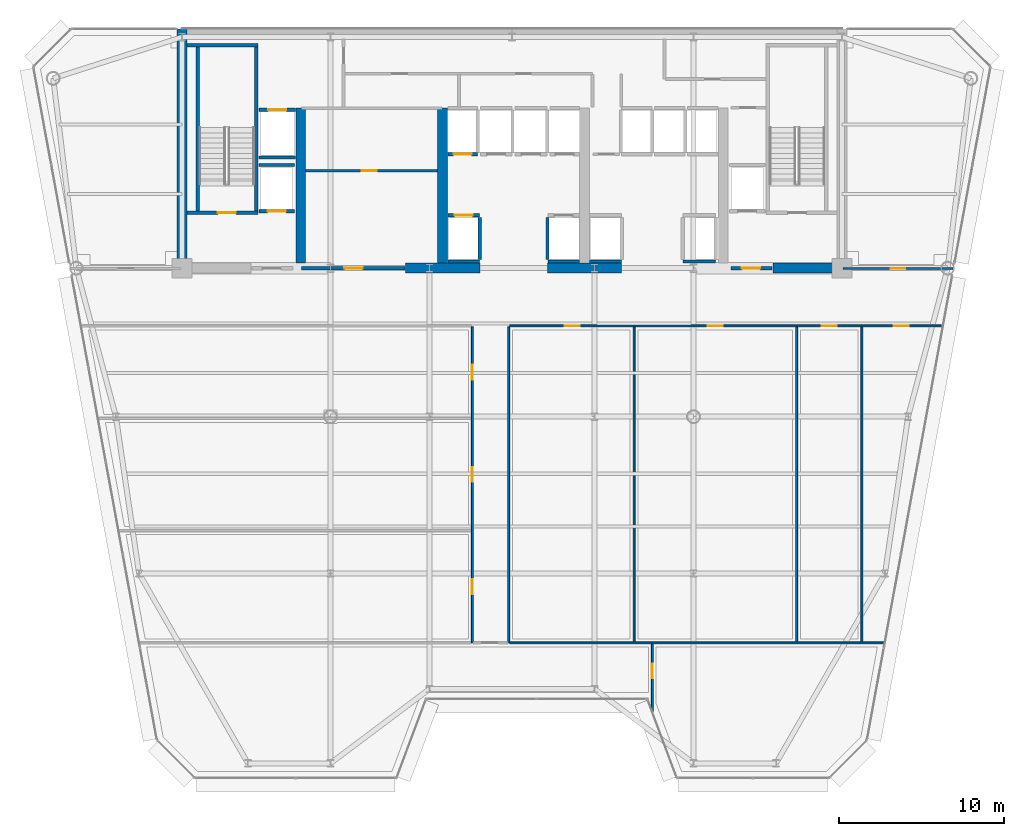
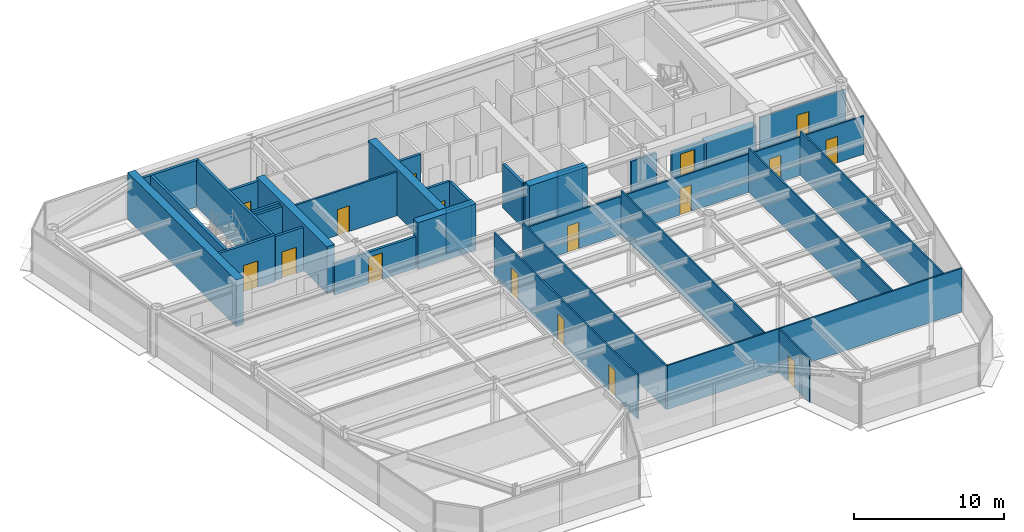
# One storey, part 10 of 16: 34 walls, 17 doors, 17 openings.
"""IFC4 building model written with IfcOpenShell, lengths in metres."""

from ifc_helpers import new_model, si_unit, direction, frame, frame_2d, origin, place, context, subcontext, project, spatial, rectangle, extrude, source, transform, mapped, material, layer, layer_set, type_object, element, fill, save


model = new_model("IFC4")

# Units and contexts
model_context = context("Model", 3, precision=1e-05, world=origin(), true_north=direction((0.0, 1.0)))
body_context = subcontext(model_context, "Body", "Model", "MODEL_VIEW")
ifc_project = project(units=[si_unit("LENGTHUNIT", "METRE"), si_unit("AREAUNIT", "SQUARE_METRE"), si_unit("VOLUMEUNIT", "CUBIC_METRE"), si_unit("PLANEANGLEUNIT", "RADIAN"), si_unit("MASSUNIT", "GRAM", prefix="KILO")], contexts=[model_context])

# Site, building, storey
site_placement = place(None, origin())
site = spatial("IfcSite", under=ifc_project, at=site_placement, CompositionType="ELEMENT")
building_placement = place(site_placement, origin())
building = spatial("IfcBuilding", under=site, at=building_placement, Name="Vaeldorn Concourse Tower", CompositionType="ELEMENT")
storey_placement = place(building_placement, frame((0.0, 0.0, 184.199951171875)))
storey = spatial("IfcBuildingStorey", under=building, at=storey_placement, Name="L47", CompositionType="ELEMENT", Elevation=184.199951171875)

# Walls
ifc_material_1 = material(Name="Concrete C50/60", Category="concrete")
ifc_layer_1 = layer(ifc_material_1, 0.60009765625)
ifc_layer_set_1 = layer_set([ifc_layer_1], Name="Concrete C50/60")
wall_type_1 = type_object("IfcWallType", Name="WL-CORE-600", PredefinedType="SHEAR", material=ifc_layer_set_1)
wall_1_placement = place(storey_placement, frame((14.0, 36.5, 0.0), z_axis=(0.0, 0.0, 1.0), x_axis=(0.0, 1.0, 0.0)))
element("IfcWall", 1, at=wall_1_placement, inside=storey, type_object=wall_type_1, Name="Rear Core Shear Wall L47 W1", PredefinedType="SHEAR", context=body_context, shape_type="SweptSolid", body=[
    extrude(rectangle(XDim=14.5, YDim=0.60009765625, at=frame_2d((7.25, 0.0))), origin(), (0.0, 0.0, 1.0), 3.800048828125),
])
for number, where, z_axis, x_axis, name in (
    (2, (27.550048828125, 36.5, 0.0), (0.0, 0.0, 1.0), (1.0, 0.0, 0.0), "Rear Core Shear Wall L47 S2"),
    (3, (36.14990234375, 36.5, 0.0), (0.0, 0.0, 1.0), (1.0, 0.0, 0.0), "Rear Core Shear Wall L47 S3"),
):
    element("IfcWall", number, at=place(storey_placement, frame(where, z_axis=z_axis, x_axis=x_axis)), inside=storey, type_object=wall_type_1, Name=name, PredefinedType="SHEAR", context=body_context, shape_type="SweptSolid", body=[
        extrude(rectangle(XDim=4.5, YDim=0.60009765625, at=frame_2d((2.25, 0.0))), origin(), (0.0, 0.0, 1.0), 3.800048828125),
    ])
wall_2_placement = place(storey_placement, frame((49.800048828125, 36.5, 0.0), z_axis=(0.0, 0.0, 1.0), x_axis=(1.0, 0.0, 0.0)))
element("IfcWall", 4, at=wall_2_placement, inside=storey, type_object=wall_type_1, Name="Rear Core Shear Wall L47 S4", PredefinedType="SHEAR", context=body_context, shape_type="SweptSolid", body=[
    extrude(rectangle(XDim=3.8798828125, YDim=0.60009765625, at=frame_2d((1.93994140625, 0.0))), origin(), (0.0, 0.0, 1.0), 2.580078125),
])
for number, where, z_axis, x_axis, name in (
    (5, (21.199951171875, 36.820068359375, 0.0), (0.0, 0.0, 1.0), (0.0, 1.0, 0.0), "Rear Core Shear Wall L47 M1"),
    (6, (29.800048828125, 36.820068359375, 0.0), (0.0, 0.0, 1.0), (0.0, 1.0, 0.0), "Rear Core Shear Wall L47 M2"),
):
    element("IfcWall", number, at=place(storey_placement, frame(where, z_axis=z_axis, x_axis=x_axis)), inside=storey, type_object=wall_type_1, Name=name, PredefinedType="SHEAR", context=body_context, shape_type="SweptSolid", body=[
        extrude(rectangle(XDim=9.3798828125, YDim=0.60009765625, at=frame_2d((4.68994140625, 0.0))), origin(), (0.0, 0.0, 1.0), 3.800048828125),
    ])

# Wall, openings, doors
ifc_material_2 = material(Name="Gypsum Board Partition", Category="gypsum")
ifc_layer_2 = layer(ifc_material_2, 0.1201171875)
ifc_layer_set_2 = layer_set([ifc_layer_2], Name="Gypsum Board Partition")
wall_type_2 = type_object("IfcWallType", Name="WL-PART-120", PredefinedType="PARTITIONING", material=ifc_layer_set_2)
wall_3_placement = place(storey_placement, frame((33.860107421875, 33.0, 0.0), z_axis=(0.0, 0.0, 1.0), x_axis=(1.0, 0.0, 0.0)))
wall_3 = element("IfcWall", 7, at=wall_3_placement, inside=storey, type_object=wall_type_2, Name="Interior Wall PW-L47-C2SE", PredefinedType="PARTITIONING", context=body_context, shape_type="SweptSolid", body=[
    extrude(rectangle(XDim=26.21728515625, YDim=0.1201171875, at=frame_2d((13.108642578125, 0.0))), origin(), (0.0, 0.0, 1.0), 3.1201171875),
])
opening_1_placement = place(wall_3_placement, frame((3.340087890625, 0.0, 0.0)))
opening_1 = element("IfcOpeningElement", 8, at=opening_1_placement, cuts=wall_3, Name="Opening D-03", PredefinedType="OPENING", context=body_context, shape_type="SweptSolid", body=[
    extrude(rectangle(XDim=0.89990234375, YDim=2.14990234375, at=frame_2d((0.449951171875, 1.074951171875))), frame((0.0, 0.070068359375, 0.0), z_axis=(0.0, -1.0, 0.0), x_axis=(1.0, 0.0, 0.0)), (0.0, 0.0, 1.0), 0.14013671875),
])
opening_2_placement = place(wall_3_placement, frame((12.014892578125, 0.0, 0.0)))
opening_2 = element("IfcOpeningElement", 9, at=opening_2_placement, cuts=wall_3, Name="Opening D-03", PredefinedType="OPENING", context=body_context, shape_type="SweptSolid", body=[
    extrude(rectangle(XDim=0.89990234375, YDim=2.14990234375, at=frame_2d((0.449951171875, 1.074951171875))), frame((0.0, 0.070068359375, 0.0), z_axis=(0.0, -1.0, 0.0), x_axis=(1.0, 0.0, 0.0)), (0.0, 0.0, 1.0), 0.14013671875),
])
opening_3_placement = place(wall_3_placement, frame((18.9150390625, 0.0, 0.0)))
opening_3 = element("IfcOpeningElement", 10, at=opening_3_placement, cuts=wall_3, Name="Opening D-03", PredefinedType="OPENING", context=body_context, shape_type="SweptSolid", body=[
    extrude(rectangle(XDim=0.89990234375, YDim=2.14990234375, at=frame_2d((0.449951171875, 1.074951171875))), frame((0.0, 0.070068359375, 0.0), z_axis=(0.0, -1.0, 0.0), x_axis=(1.0, 0.0, 0.0)), (0.0, 0.0, 1.0), 0.14013671875),
])
opening_4_placement = place(wall_3_placement, frame((23.279052734375, 0.0, 0.0)))
opening_4 = element("IfcOpeningElement", 11, at=opening_4_placement, cuts=wall_3, Name="Opening D-03", PredefinedType="OPENING", context=body_context, shape_type="SweptSolid", body=[
    extrude(rectangle(XDim=0.89990234375, YDim=2.14990234375, at=frame_2d((0.449951171875, 1.074951171875))), frame((0.0, 0.070068359375, 0.0), z_axis=(0.0, -1.0, 0.0), x_axis=(1.0, 0.0, 0.0)), (0.0, 0.0, 1.0), 0.14013671875),
])
ifc_material_3 = material(Name="Acoustic Bronze-Framed Glass Door", Category="glass")
door_type_1 = type_object("IfcDoorType", Name="DR-INT-900", OperationType="NOTDEFINED", PredefinedType="DOOR", material=ifc_material_3)
shared_shape_1 = source(origin(), body_context, "Body", "SweptSolid", [
    extrude(rectangle(XDim=0.89990234375, YDim=2.14990234375, at=frame_2d((0.449951171875, 1.074951171875))), frame((0.0, 0.02490234375, 0.0), z_axis=(0.0, -1.0, 0.0), x_axis=(1.0, 0.0, 0.0)), (0.0, 0.0, 1.0), 0.050048828125),
])
door_1_placement = place(opening_1_placement, origin())
door_1 = element("IfcDoor", 12, at=door_1_placement, inside=storey, type_object=door_type_1, Name="Interior Door DR-L47-Z2E1", OperationType="SINGLE_SWING_RIGHT", OverallHeight=2.14990234375, OverallWidth=0.89990234375, PredefinedType="DOOR", context=body_context, shape_type="MappedRepresentation", body=[
    mapped(shared_shape_1, transform((0.0, 0.0, 0.0), scale=1.0)),
])
fill(opening_1, door_1)
door_2_placement = place(opening_2_placement, origin())
door_2 = element("IfcDoor", 13, at=door_2_placement, inside=storey, type_object=door_type_1, Name="Interior Door DR-L47-Z2E2", OperationType="SINGLE_SWING_LEFT", OverallHeight=2.14990234375, OverallWidth=0.89990234375, PredefinedType="DOOR", context=body_context, shape_type="MappedRepresentation", body=[
    mapped(shared_shape_1, transform((0.0, 0.0, 0.0), scale=1.0)),
])
fill(opening_2, door_2)
door_3_placement = place(opening_3_placement, origin())
door_3 = element("IfcDoor", 14, at=door_3_placement, inside=storey, type_object=door_type_1, Name="Interior Door DR-L47-Z2E3", OperationType="SINGLE_SWING_RIGHT", OverallHeight=2.14990234375, OverallWidth=0.89990234375, PredefinedType="DOOR", context=body_context, shape_type="MappedRepresentation", body=[
    mapped(shared_shape_1, transform((0.0, 0.0, 0.0), scale=1.0)),
])
fill(opening_3, door_3)
door_4_placement = place(opening_4_placement, origin())
door_4 = element("IfcDoor", 15, at=door_4_placement, inside=storey, type_object=door_type_1, Name="Interior Door DR-L47-Z2E4", OperationType="SINGLE_SWING_LEFT", OverallHeight=2.14990234375, OverallWidth=0.89990234375, PredefinedType="DOOR", context=body_context, shape_type="MappedRepresentation", body=[
    mapped(shared_shape_1, transform((0.0, 0.0, 0.0), scale=1.0)),
])
fill(opening_4, door_4)

wall_4_placement = place(storey_placement, frame((31.60009765625, 13.800048828125, 0.0), z_axis=(0.0, 0.0, 1.0), x_axis=(0.0, 1.0, 0.0)))
wall_4 = element("IfcWall", 16, at=wall_4_placement, inside=storey, type_object=wall_type_2, Name="Interior Wall PW-L47-SP2W", PredefinedType="PARTITIONING", context=body_context, shape_type="SweptSolid", body=[
    extrude(rectangle(XDim=19.139892578125, YDim=0.1201171875, at=frame_2d((9.56982421875, 0.0))), origin(), (0.0, 0.0, 1.0), 3.580078125),
])
opening_5_placement = place(wall_4_placement, frame((2.949951171875, 0.0, 0.0)))
opening_5 = element("IfcOpeningElement", 17, at=opening_5_placement, cuts=wall_4, Name="Opening D-03", PredefinedType="OPENING", context=body_context, shape_type="SweptSolid", body=[
    extrude(rectangle(XDim=0.89990234375, YDim=2.14990234375, at=frame_2d((0.449951171875, 1.074951171875))), frame((0.0, 0.070068359375, 0.0), z_axis=(0.0, -1.0, 0.0), x_axis=(1.0, 0.0, 0.0)), (0.0, 0.0, 1.0), 0.14013671875),
])
opening_6_placement = place(wall_4_placement, frame((9.75, 0.0, 0.0)))
opening_6 = element("IfcOpeningElement", 18, at=opening_6_placement, cuts=wall_4, Name="Opening D-03", PredefinedType="OPENING", context=body_context, shape_type="SweptSolid", body=[
    extrude(rectangle(XDim=0.89990234375, YDim=2.14990234375, at=frame_2d((0.449951171875, 1.074951171875))), frame((0.0, 0.070068359375, 0.0), z_axis=(0.0, -1.0, 0.0), x_axis=(1.0, 0.0, 0.0)), (0.0, 0.0, 1.0), 0.14013671875),
])
opening_7_placement = place(wall_4_placement, frame((15.949951171875, 0.0, 0.0)))
opening_7 = element("IfcOpeningElement", 19, at=opening_7_placement, cuts=wall_4, Name="Opening D-03", PredefinedType="OPENING", context=body_context, shape_type="SweptSolid", body=[
    extrude(rectangle(XDim=0.89990234375, YDim=2.14990234375, at=frame_2d((0.449951171875, 1.074951171875))), frame((0.0, 0.070068359375, 0.0), z_axis=(0.0, -1.0, 0.0), x_axis=(1.0, 0.0, 0.0)), (0.0, 0.0, 1.0), 0.14013671875),
])
door_5_placement = place(opening_5_placement, origin())
door_5 = element("IfcDoor", 20, at=door_5_placement, inside=storey, type_object=door_type_1, Name="Interior Door DR-L47-Z2W1", OperationType="SINGLE_SWING_LEFT", OverallHeight=2.14990234375, OverallWidth=0.89990234375, PredefinedType="DOOR", context=body_context, shape_type="MappedRepresentation", body=[
    mapped(shared_shape_1, transform((0.0, 0.0, 0.0), scale=1.0)),
])
fill(opening_5, door_5)
door_6_placement = place(opening_6_placement, origin())
door_6 = element("IfcDoor", 21, at=door_6_placement, inside=storey, type_object=door_type_1, Name="Interior Door DR-L47-Z2W2", OperationType="SINGLE_SWING_RIGHT", OverallHeight=2.14990234375, OverallWidth=0.89990234375, PredefinedType="DOOR", context=body_context, shape_type="MappedRepresentation", body=[
    mapped(shared_shape_1, transform((0.0, 0.0, 0.0), scale=1.0)),
])
fill(opening_6, door_6)
door_7_placement = place(opening_7_placement, origin())
door_7 = element("IfcDoor", 22, at=door_7_placement, inside=storey, type_object=door_type_1, Name="Interior Door DR-L47-Z2W3", OperationType="SINGLE_SWING_LEFT", OverallHeight=2.14990234375, OverallWidth=0.89990234375, PredefinedType="DOOR", context=body_context, shape_type="MappedRepresentation", body=[
    mapped(shared_shape_1, transform((0.0, 0.0, 0.0), scale=1.0)),
])
fill(opening_7, door_7)

# Wall
wall_5_placement = place(storey_placement, frame((33.800048828125, 13.800048828125, 0.0), z_axis=(0.0, 0.0, 1.0), x_axis=(0.0, 1.0, 0.0)))
element("IfcWall", 23, at=wall_5_placement, inside=storey, type_object=wall_type_2, Name="Interior Wall PW-L47-SP2E", PredefinedType="PARTITIONING", context=body_context, shape_type="SweptSolid", body=[
    extrude(rectangle(XDim=19.139892578125, YDim=0.1201171875, at=frame_2d((9.56982421875, 0.0))), origin(), (0.0, 0.0, 1.0), 3.580078125),
])

# Wall, opening, door
wall_6_placement = place(storey_placement, frame((54.06005859375, 36.47998046875, 0.0), z_axis=(0.0, 0.0, 1.0), x_axis=(1.0, 0.0, 0.0)))
wall_6 = element("IfcWall", 24, at=wall_6_placement, inside=storey, type_object=wall_type_2, Name="Interior Wall PW-L47-NES", PredefinedType="PARTITIONING", context=body_context, shape_type="SweptSolid", body=[
    extrude(rectangle(XDim=6.65087890625, YDim=0.1201171875, at=frame_2d((3.325439453125, 0.0))), origin(), (0.0, 0.0, 1.0), 2.969970703125),
])
opening_8_placement = place(wall_6_placement, frame((2.875, 0.0, 0.0)))
opening_8 = element("IfcOpeningElement", 25, at=opening_8_placement, cuts=wall_6, Name="Opening D-03", PredefinedType="OPENING", context=body_context, shape_type="SweptSolid", body=[
    extrude(rectangle(XDim=0.89990234375, YDim=2.14990234375, at=frame_2d((0.449951171875, 1.074951171875))), frame((0.0, 0.070068359375, 0.0), z_axis=(0.0, -1.0, 0.0), x_axis=(1.0, 0.0, 0.0)), (0.0, 0.0, 1.0), 0.14013671875),
])
door_8_placement = place(opening_8_placement, origin())
door_8 = element("IfcDoor", 26, at=door_8_placement, inside=storey, type_object=door_type_1, Name="Interior Door DR-L47-NEC", OperationType="SINGLE_SWING_RIGHT", OverallHeight=2.14990234375, OverallWidth=0.89990234375, PredefinedType="DOOR", context=body_context, shape_type="MappedRepresentation", body=[
    mapped(shared_shape_1, transform((0.0, 0.0, 0.0), scale=1.0)),
])
fill(opening_8, door_8)

# Wall
wall_7_placement = place(storey_placement, frame((33.860107421875, 13.800048828125, 0.0), z_axis=(0.0, 0.0, 1.0), x_axis=(1.0, 0.0, 0.0)))
element("IfcWall", 27, at=wall_7_placement, inside=storey, type_object=wall_type_2, Name="Interior Wall PW-L47-S2EL", PredefinedType="PARTITIONING", context=body_context, shape_type="SweptSolid", body=[
    extrude(rectangle(XDim=22.692138671875, YDim=0.1201171875, at=frame_2d((11.34619140625, 0.0))), origin(), (0.0, 0.0, 1.0), 3.580078125),
])

# Wall, opening, door
wall_8_placement = place(storey_placement, frame((42.5, 9.639892578125, 0.0), z_axis=(0.0, 0.0, 1.0), x_axis=(0.0, 1.0, 0.0)))
wall_8 = element("IfcWall", 28, at=wall_8_placement, inside=storey, type_object=wall_type_2, Name="Interior Wall PW-L47-Z2SFX1", PredefinedType="PARTITIONING", context=body_context, shape_type="SweptSolid", body=[
    extrude(rectangle(XDim=4.10009765625, YDim=0.1201171875, at=frame_2d((2.050048828125, 0.0))), origin(), (0.0, 0.0, 1.0), 3.580078125),
])
opening_9_placement = place(wall_8_placement, frame((2.0, 0.0, 0.0)))
opening_9 = element("IfcOpeningElement", 29, at=opening_9_placement, cuts=wall_8, Name="Opening D-03", PredefinedType="OPENING", context=body_context, shape_type="SweptSolid", body=[
    extrude(rectangle(XDim=0.89990234375, YDim=2.14990234375, at=frame_2d((0.449951171875, 1.074951171875))), frame((0.0, 0.070068359375, 0.0), z_axis=(0.0, -1.0, 0.0), x_axis=(1.0, 0.0, 0.0)), (0.0, 0.0, 1.0), 0.14013671875),
])
door_9_placement = place(opening_9_placement, origin())
door_9 = element("IfcDoor", 30, at=door_9_placement, inside=storey, type_object=door_type_1, Name="Interior Door DR-L47-Z2SFX1", OperationType="SINGLE_SWING_RIGHT", OverallHeight=2.14990234375, OverallWidth=0.89990234375, PredefinedType="DOOR", context=body_context, shape_type="MappedRepresentation", body=[
    mapped(shared_shape_1, transform((0.0, 0.0, 0.0), scale=1.0)),
])
fill(opening_9, door_9)

# Walls
for number, where, z_axis, x_axis, name in (
    (31, (41.39990234375, 13.860107421875, 0.0), (0.0, 0.0, 1.0), (0.0, 1.0, 0.0), "Interior Wall PW-L47-Z2EX1"),
    (32, (51.25, 13.860107421875, 0.0), (0.0, 0.0, 1.0), (0.0, 1.0, 0.0), "Interior Wall PW-L47-Z2EX2"),
    (33, (55.199951171875, 13.860107421875, 0.0), (0.0, 0.0, 1.0), (0.0, 1.0, 0.0), "Interior Wall PW-L47-Z2EX3"),
):
    element("IfcWall", number, at=place(storey_placement, frame(where, z_axis=z_axis, x_axis=x_axis)), inside=storey, type_object=wall_type_2, Name=name, PredefinedType="PARTITIONING", context=body_context, shape_type="SweptSolid", body=[
        extrude(rectangle(XDim=19.079833984375, YDim=0.1201171875, at=frame_2d((9.5400390625, 0.0))), origin(), (0.0, 0.0, 1.0), 3.580078125),
    ])

# Wall, opening, door
ifc_layer_3 = layer(ifc_material_2, 0.14990234375)
ifc_layer_set_3 = layer_set([ifc_layer_3], Name="Gypsum Board Partition")
wall_type_3 = type_object("IfcWallType", Name="WL-PART-150", PredefinedType="PARTITIONING", material=ifc_layer_set_3)
wall_9_placement = place(storey_placement, frame((21.5, 42.39990234375, 0.0), z_axis=(0.0, 0.0, 1.0), x_axis=(1.0, 0.0, 0.0)))
wall_9 = element("IfcWall", 34, at=wall_9_placement, inside=storey, type_object=wall_type_3, Name="Interior Wall CW-L47-R1M", PredefinedType="PARTITIONING", context=body_context, shape_type="SweptSolid", body=[
    extrude(rectangle(XDim=8.0, YDim=0.14990234375, at=frame_2d((4.0, 0.0))), origin(), (0.0, 0.0, 1.0), 3.580078125),
])
opening_10_placement = place(wall_9_placement, frame((3.39990234375, 0.0, 0.0)))
opening_10 = element("IfcOpeningElement", 35, at=opening_10_placement, cuts=wall_9, Name="Opening D-02", PredefinedType="OPENING", context=body_context, shape_type="SweptSolid", body=[
    extrude(rectangle(XDim=0.89990234375, YDim=2.10009765625, at=frame_2d((0.449951171875, 1.050048828125))), frame((0.0, 0.0849609375, 0.0), z_axis=(0.0, -1.0, 0.0), x_axis=(1.0, 0.0, 0.0)), (0.0, 0.0, 1.0), 0.169921875),
])
ifc_material_4 = material(Name="Fire-Rated Timber Leaf", Category="wood")
door_type_2 = type_object("IfcDoorType", Name="DR-FD30-900", OperationType="NOTDEFINED", PredefinedType="DOOR", material=ifc_material_4)
shared_shape_2 = source(origin(), body_context, "Body", "SweptSolid", [
    extrude(rectangle(XDim=0.89990234375, YDim=2.10009765625, at=frame_2d((0.449951171875, 1.050048828125))), frame((0.0, 0.02490234375, 0.0), z_axis=(0.0, -1.0, 0.0), x_axis=(1.0, 0.0, 0.0)), (0.0, 0.0, 1.0), 0.050048828125),
])
door_10_placement = place(opening_10_placement, origin())
door_10 = element("IfcDoor", 36, at=door_10_placement, inside=storey, type_object=door_type_2, Name="Interior Door DR-L47-R1M", OperationType="SINGLE_SWING_RIGHT", OverallHeight=2.10009765625, OverallWidth=0.89990234375, PredefinedType="DOOR", context=body_context, shape_type="MappedRepresentation", body=[
    mapped(shared_shape_2, transform((0.0, 0.0, 0.0), scale=1.0)),
])
fill(opening_10, door_10)

ifc_layer_4 = layer(ifc_material_1, 0.199951171875)
ifc_layer_set_4 = layer_set([ifc_layer_4], Name="Concrete C50/60")
wall_type_4 = type_object("IfcWallType", Name="WL-SHAFT-200", PredefinedType="SOLIDWALL", material=ifc_layer_set_4)
wall_10_placement = place(storey_placement, frame((14.300048828125, 39.85009765625, 0.0), z_axis=(0.0, 0.0, 1.0), x_axis=(1.0, 0.0, 0.0)))
wall_10 = element("IfcWall", 37, at=wall_10_placement, inside=storey, type_object=wall_type_4, Name="Stair Shaft Wall CW-L47-ST-1-S", PredefinedType="SOLIDWALL", context=body_context, shape_type="SweptSolid", body=[
    extrude(rectangle(XDim=4.300048828125, YDim=0.199951171875, at=frame_2d((2.14990234375, 0.0))), origin(), (0.0, 0.0, 1.0), 3.800048828125),
])
opening_11_placement = place(wall_10_placement, frame((1.875, 0.0, 0.0)))
opening_11 = element("IfcOpeningElement", 38, at=opening_11_placement, cuts=wall_10, Name="Opening D-01", PredefinedType="OPENING", context=body_context, shape_type="SweptSolid", body=[
    extrude(rectangle(XDim=1.10009765625, YDim=2.14990234375, at=frame_2d((0.550048828125, 1.074951171875))), frame((0.0, 0.10986328125, 0.0), z_axis=(0.0, -1.0, 0.0), x_axis=(1.0, 0.0, 0.0)), (0.0, 0.0, 1.0), 0.219970703125),
])
ifc_material_5 = material(Name="Fire-Rated Timber and Steel Leaf", Category="steel")
door_type_3 = type_object("IfcDoorType", Name="DR-FD60-1100", OperationType="NOTDEFINED", PredefinedType="DOOR", material=ifc_material_5)
shared_shape_3 = source(origin(), body_context, "Body", "SweptSolid", [
    extrude(rectangle(XDim=1.10009765625, YDim=2.14990234375, at=frame_2d((0.550048828125, 1.074951171875))), frame((0.0, 0.02490234375, 0.0), z_axis=(0.0, -1.0, 0.0), x_axis=(1.0, 0.0, 0.0)), (0.0, 0.0, 1.0), 0.050048828125),
])
door_11_placement = place(opening_11_placement, origin())
door_11 = element("IfcDoor", 39, at=door_11_placement, inside=storey, type_object=door_type_3, Name="Interior Door DR-L47-ST-1", OperationType="SINGLE_SWING_LEFT", OverallHeight=2.14990234375, OverallWidth=1.10009765625, PredefinedType="DOOR", context=body_context, shape_type="MappedRepresentation", body=[
    mapped(shared_shape_3, transform((0.0, 0.0, 0.0), scale=1.0)),
])
fill(opening_11, door_11)

# Walls
wall_11_placement = place(storey_placement, frame((14.300048828125, 50.0, 0.0), z_axis=(0.0, 0.0, 1.0), x_axis=(1.0, 0.0, 0.0)))
element("IfcWall", 40, at=wall_11_placement, inside=storey, type_object=wall_type_4, Name="Stair Shaft Wall CW-L47-ST-1-N", PredefinedType="SOLIDWALL", context=body_context, shape_type="SweptSolid", body=[
    extrude(rectangle(XDim=4.300048828125, YDim=0.199951171875, at=frame_2d((2.14990234375, 0.0))), origin(), (0.0, 0.0, 1.0), 3.800048828125),
])
for number, where, z_axis, x_axis, name in (
    (41, (14.949951171875, 39.9599609375, 0.0), (0.0, 0.0, 1.0), (0.0, 1.0, 0.0), "Stair Shaft Wall CW-L47-ST-1-W"),
    (42, (18.5, 39.9599609375, 0.0), (0.0, 0.0, 1.0), (0.0, 1.0, 0.0), "Stair Shaft Wall CW-L47-ST-1-E"),
):
    element("IfcWall", number, at=place(storey_placement, frame(where, z_axis=z_axis, x_axis=x_axis)), inside=storey, type_object=wall_type_4, Name=name, PredefinedType="SOLIDWALL", context=body_context, shape_type="SweptSolid", body=[
        extrude(rectangle(XDim=9.929931640625, YDim=0.199951171875, at=frame_2d((4.96484375, 0.0))), origin(), (0.0, 0.0, 1.0), 3.800048828125),
    ])

# Wall, opening, door
wall_12_placement = place(storey_placement, frame((47.280029296875, 36.5, 0.0), z_axis=(0.0, 0.0, 1.0), x_axis=(1.0, 0.0, 0.0)))
wall_12 = element("IfcWall", 43, at=wall_12_placement, inside=storey, type_object=wall_type_4, Name="Interior Wall CW-L47-FF2S", PredefinedType="SOLIDWALL", context=body_context, shape_type="SweptSolid", body=[
    extrude(rectangle(XDim=2.469970703125, YDim=0.199951171875, at=frame_2d((1.23486328125, 0.0))), origin(), (0.0, 0.0, 1.0), 2.570068359375),
])
opening_12_placement = place(wall_12_placement, frame((0.64990234375, 0.0, 0.0)))
opening_12 = element("IfcOpeningElement", 44, at=opening_12_placement, cuts=wall_12, Name="Opening D-01", PredefinedType="OPENING", context=body_context, shape_type="SweptSolid", body=[
    extrude(rectangle(XDim=1.10009765625, YDim=2.14990234375, at=frame_2d((0.550048828125, 1.074951171875))), frame((0.0, 0.10986328125, 0.0), z_axis=(0.0, -1.0, 0.0), x_axis=(1.0, 0.0, 0.0)), (0.0, 0.0, 1.0), 0.219970703125),
])
door_12_placement = place(opening_12_placement, origin())
door_12 = element("IfcDoor", 45, at=door_12_placement, inside=storey, type_object=door_type_3, Name="Interior Door DR-L47-FF2W", OperationType="SINGLE_SWING_LEFT", OverallHeight=2.14990234375, OverallWidth=1.10009765625, PredefinedType="DOOR", context=body_context, shape_type="MappedRepresentation", body=[
    mapped(shared_shape_3, transform((0.0, 0.0, 0.0), scale=1.0)),
])
fill(opening_12, door_12)

wall_13_placement = place(storey_placement, frame((30.110107421875, 39.699951171875, 0.0), z_axis=(0.0, 0.0, 1.0), x_axis=(1.0, 0.0, 0.0)))
wall_13 = element("IfcWall", 46, at=wall_13_placement, inside=storey, type_object=wall_type_4, Name="Interior Wall CW-L47-LF-LF-07", PredefinedType="SOLIDWALL", context=body_context, shape_type="SweptSolid", body=[
    extrude(rectangle(XDim=1.919921875, YDim=0.199951171875, at=frame_2d((0.9599609375, 0.0))), origin(), (0.0, 0.0, 1.0), 3.580078125),
])
opening_13_placement = place(wall_13_placement, frame((0.409912109375, 0.0, 0.0)))
opening_13 = element("IfcOpeningElement", 47, at=opening_13_placement, cuts=wall_13, Name="Opening LD-1", PredefinedType="OPENING", context=body_context, shape_type="SweptSolid", body=[
    extrude(rectangle(XDim=1.10009765625, YDim=2.14990234375, at=frame_2d((0.550048828125, 1.074951171875))), frame((0.0, 0.10986328125, 0.0), z_axis=(0.0, -1.0, 0.0), x_axis=(1.0, 0.0, 0.0)), (0.0, 0.0, 1.0), 0.219970703125),
])
ifc_material_6 = material(Name="Anodised Bronze Aluminium", Category="aluminium")
door_type_4 = type_object("IfcDoorType", Name="DR-LIFT-SLIDE-1100", OperationType="DOUBLE_DOOR_SLIDING", PredefinedType="DOOR", material=ifc_material_6)
door_13_placement = place(opening_13_placement, origin())
door_13 = element("IfcDoor", 48, at=door_13_placement, inside=storey, type_object=door_type_4, Name="Lift Landing Door LD-L47-LF-07", OperationType="DOUBLE_DOOR_SLIDING", OverallHeight=2.14990234375, OverallWidth=1.10009765625, PredefinedType="DOOR", context=body_context, shape_type="MappedRepresentation", body=[
    mapped(shared_shape_3, transform((0.0, 0.0, 0.0), scale=1.0)),
])
fill(opening_13, door_13)

# Walls
wall_14_placement = place(storey_placement, frame((30.110107421875, 36.89990234375, 0.0), z_axis=(0.0, 0.0, 1.0), x_axis=(1.0, 0.0, 0.0)))
element("IfcWall", 49, at=wall_14_placement, inside=storey, type_object=wall_type_4, Name="Interior Wall CW-L47-LFB-LF-07", PredefinedType="SOLIDWALL", context=body_context, shape_type="SweptSolid", body=[
    extrude(rectangle(XDim=1.919921875, YDim=0.199951171875, at=frame_2d((0.9599609375, 0.0))), origin(), (0.0, 0.0, 1.0), 3.580078125),
])
wall_15_placement = place(storey_placement, frame((32.050048828125, 37.02001953125, 0.0), z_axis=(0.0, 0.0, 1.0), x_axis=(0.0, 1.0, 0.0)))
element("IfcWall", 50, at=wall_15_placement, inside=storey, type_object=wall_type_4, Name="Interior Wall CW-L47-LFE-LF-07", PredefinedType="SOLIDWALL", context=body_context, shape_type="SweptSolid", body=[
    extrude(rectangle(XDim=2.56005859375, YDim=0.199951171875, at=frame_2d((1.280029296875, 0.0))), origin(), (0.0, 0.0, 1.0), 3.580078125),
])
wall_16_placement = place(storey_placement, frame((36.169921875, 36.89990234375, 0.0), z_axis=(0.0, 0.0, 1.0), x_axis=(1.0, 0.0, 0.0)))
element("IfcWall", 51, at=wall_16_placement, inside=storey, type_object=wall_type_4, Name="Interior Wall CW-L47-LFB-LF-08", PredefinedType="SOLIDWALL", context=body_context, shape_type="SweptSolid", body=[
    extrude(rectangle(XDim=1.920166015625, YDim=0.199951171875, at=frame_2d((0.9599609375, 0.0))), origin(), (0.0, 0.0, 1.0), 3.580078125),
])
wall_17_placement = place(storey_placement, frame((36.14990234375, 37.02001953125, 0.0), z_axis=(0.0, 0.0, 1.0), x_axis=(0.0, 1.0, 0.0)))
element("IfcWall", 52, at=wall_17_placement, inside=storey, type_object=wall_type_4, Name="Interior Wall CW-L47-LFW-LF-08", PredefinedType="SOLIDWALL", context=body_context, shape_type="SweptSolid", body=[
    extrude(rectangle(XDim=2.56005859375, YDim=0.199951171875, at=frame_2d((1.280029296875, 0.0))), origin(), (0.0, 0.0, 1.0), 3.580078125),
])

# Wall, opening, door
wall_18_placement = place(storey_placement, frame((30.110107421875, 43.39990234375, 0.0), z_axis=(0.0, 0.0, 1.0), x_axis=(1.0, 0.0, 0.0)))
wall_18 = element("IfcWall", 53, at=wall_18_placement, inside=storey, type_object=wall_type_4, Name="Interior Wall CW-L47-LF-LF-09", PredefinedType="SOLIDWALL", context=body_context, shape_type="SweptSolid", body=[
    extrude(rectangle(XDim=1.7998046875, YDim=0.199951171875, at=frame_2d((0.89990234375, 0.0))), origin(), (0.0, 0.0, 1.0), 3.580078125),
])
opening_14_placement = place(wall_18_placement, frame((0.35009765625, 0.0, 0.0)))
opening_14 = element("IfcOpeningElement", 54, at=opening_14_placement, cuts=wall_18, Name="Opening LD-1", PredefinedType="OPENING", context=body_context, shape_type="SweptSolid", body=[
    extrude(rectangle(XDim=1.10009765625, YDim=2.14990234375, at=frame_2d((0.550048828125, 1.074951171875))), frame((0.0, 0.10986328125, 0.0), z_axis=(0.0, -1.0, 0.0), x_axis=(1.0, 0.0, 0.0)), (0.0, 0.0, 1.0), 0.219970703125),
])
door_14_placement = place(opening_14_placement, origin())
door_14 = element("IfcDoor", 55, at=door_14_placement, inside=storey, type_object=door_type_4, Name="Lift Landing Door LD-L47-LF-09", OperationType="DOUBLE_DOOR_SLIDING", OverallHeight=2.14990234375, OverallWidth=1.10009765625, PredefinedType="DOOR", context=body_context, shape_type="MappedRepresentation", body=[
    mapped(shared_shape_3, transform((0.0, 0.0, 0.0), scale=1.0)),
])
fill(opening_14, door_14)

# Walls
wall_19_placement = place(storey_placement, frame((38.7099609375, 36.89990234375, 0.0), z_axis=(0.0, 0.0, 1.0), x_axis=(1.0, 0.0, 0.0)))
element("IfcWall", 56, at=wall_19_placement, inside=storey, type_object=wall_type_4, Name="Interior Wall CW-L47-LFB-LF-13", PredefinedType="SOLIDWALL", context=body_context, shape_type="SweptSolid", body=[
    extrude(rectangle(XDim=1.919921875, YDim=0.199951171875, at=frame_2d((0.9599609375, 0.0))), origin(), (0.0, 0.0, 1.0), 3.580078125),
])
wall_20_placement = place(storey_placement, frame((44.3701171875, 36.89990234375, 0.0), z_axis=(0.0, 0.0, 1.0), x_axis=(1.0, 0.0, 0.0)))
element("IfcWall", 57, at=wall_20_placement, inside=storey, type_object=wall_type_4, Name="Interior Wall CW-L47-LFB-LF-14", PredefinedType="SOLIDWALL", context=body_context, shape_type="SweptSolid", body=[
    extrude(rectangle(XDim=1.9599609375, YDim=0.199951171875, at=frame_2d((0.97998046875, 0.0))), origin(), (0.0, 0.0, 1.0), 2.570068359375),
])

# Wall, opening, door
wall_21_placement = place(storey_placement, frame((18.669921875, 46.10009765625, 0.0), z_axis=(0.0, 0.0, 1.0), x_axis=(1.0, 0.0, 0.0)))
wall_21 = element("IfcWall", 58, at=wall_21_placement, inside=storey, type_object=wall_type_4, Name="Interior Wall CW-L47-LF-LF-SV1", PredefinedType="SOLIDWALL", context=body_context, shape_type="SweptSolid", body=[
    extrude(rectangle(XDim=2.219970703125, YDim=0.199951171875, at=frame_2d((1.10986328125, 0.0))), origin(), (0.0, 0.0, 1.0), 3.580078125),
])
opening_15_placement = place(wall_21_placement, frame((0.56005859375, 0.0, 0.0)))
opening_15 = element("IfcOpeningElement", 59, at=opening_15_placement, cuts=wall_21, Name="Opening LD-1", PredefinedType="OPENING", context=body_context, shape_type="SweptSolid", body=[
    extrude(rectangle(XDim=1.10009765625, YDim=2.14990234375, at=frame_2d((0.550048828125, 1.074951171875))), frame((0.0, 0.10986328125, 0.0), z_axis=(0.0, -1.0, 0.0), x_axis=(1.0, 0.0, 0.0)), (0.0, 0.0, 1.0), 0.219970703125),
])
door_15_placement = place(opening_15_placement, origin())
door_15 = element("IfcDoor", 60, at=door_15_placement, inside=storey, type_object=door_type_4, Name="Lift Landing Door LD-L47-LF-SV1", OperationType="DOUBLE_DOOR_SLIDING", OverallHeight=2.14990234375, OverallWidth=1.10009765625, PredefinedType="DOOR", context=body_context, shape_type="MappedRepresentation", body=[
    mapped(shared_shape_3, transform((0.0, 0.0, 0.0), scale=1.0)),
])
fill(opening_15, door_15)

# Wall
wall_22_placement = place(storey_placement, frame((18.669921875, 43.199951171875, 0.0), z_axis=(0.0, 0.0, 1.0), x_axis=(1.0, 0.0, 0.0)))
element("IfcWall", 61, at=wall_22_placement, inside=storey, type_object=wall_type_4, Name="Interior Wall CW-L47-LFB-LF-SV1", PredefinedType="SOLIDWALL", context=body_context, shape_type="SweptSolid", body=[
    extrude(rectangle(XDim=2.219970703125, YDim=0.199951171875, at=frame_2d((1.10986328125, 0.0))), origin(), (0.0, 0.0, 1.0), 3.580078125),
])

# Wall, opening, door
wall_23_placement = place(storey_placement, frame((18.669921875, 39.949951171875, 0.0), z_axis=(0.0, 0.0, 1.0), x_axis=(1.0, 0.0, 0.0)))
wall_23 = element("IfcWall", 62, at=wall_23_placement, inside=storey, type_object=wall_type_4, Name="Interior Wall CW-L47-LF-LF-FF1", PredefinedType="SOLIDWALL", context=body_context, shape_type="SweptSolid", body=[
    extrude(rectangle(XDim=2.16015625, YDim=0.199951171875, at=frame_2d((1.080078125, 0.0))), origin(), (0.0, 0.0, 1.0), 3.580078125),
])
opening_16_placement = place(wall_23_placement, frame((0.530029296875, 0.0, 0.0)))
opening_16 = element("IfcOpeningElement", 63, at=opening_16_placement, cuts=wall_23, Name="Opening LD-1", PredefinedType="OPENING", context=body_context, shape_type="SweptSolid", body=[
    extrude(rectangle(XDim=1.10009765625, YDim=2.14990234375, at=frame_2d((0.550048828125, 1.074951171875))), frame((0.0, 0.10986328125, 0.0), z_axis=(0.0, -1.0, 0.0), x_axis=(1.0, 0.0, 0.0)), (0.0, 0.0, 1.0), 0.219970703125),
])
door_16_placement = place(opening_16_placement, origin())
door_16 = element("IfcDoor", 64, at=door_16_placement, inside=storey, type_object=door_type_4, Name="Lift Landing Door LD-L47-LF-FF1", OperationType="DOUBLE_DOOR_SLIDING", OverallHeight=2.14990234375, OverallWidth=1.10009765625, PredefinedType="DOOR", context=body_context, shape_type="MappedRepresentation", body=[
    mapped(shared_shape_3, transform((0.0, 0.0, 0.0), scale=1.0)),
])
fill(opening_16, door_16)

# Wall
wall_24_placement = place(storey_placement, frame((18.669921875, 42.75, 0.0), z_axis=(0.0, 0.0, 1.0), x_axis=(1.0, 0.0, 0.0)))
element("IfcWall", 65, at=wall_24_placement, inside=storey, type_object=wall_type_4, Name="Interior Wall CW-L47-LFB-LF-FF1", PredefinedType="SOLIDWALL", context=body_context, shape_type="SweptSolid", body=[
    extrude(rectangle(XDim=2.16015625, YDim=0.199951171875, at=frame_2d((1.080078125, 0.0))), origin(), (0.0, 0.0, 1.0), 3.580078125),
])

# Wall, opening, door
wall_25_placement = place(storey_placement, frame((21.25, 36.5, 0.0), z_axis=(0.0, 0.0, 1.0), x_axis=(1.0, 0.0, 0.0)))
wall_25 = element("IfcWall", 66, at=wall_25_placement, inside=storey, type_object=wall_type_4, Name="Interior Wall CW-L47-R1S", PredefinedType="SOLIDWALL", context=body_context, shape_type="SweptSolid", body=[
    extrude(rectangle(XDim=6.27001953125, YDim=0.199951171875, at=frame_2d((3.135009765625, 0.0))), origin(), (0.0, 0.0, 1.0), 2.570068359375),
])
opening_17_placement = place(wall_25_placement, frame((2.60009765625, 0.0, 0.0)))
opening_17 = element("IfcOpeningElement", 67, at=opening_17_placement, cuts=wall_25, Name="Opening D-01", PredefinedType="OPENING", context=body_context, shape_type="SweptSolid", body=[
    extrude(rectangle(XDim=1.10009765625, YDim=2.14990234375, at=frame_2d((0.550048828125, 1.074951171875))), frame((0.0, 0.10986328125, 0.0), z_axis=(0.0, -1.0, 0.0), x_axis=(1.0, 0.0, 0.0)), (0.0, 0.0, 1.0), 0.219970703125),
])
door_17_placement = place(opening_17_placement, origin())
door_17 = element("IfcDoor", 68, at=door_17_placement, inside=storey, type_object=door_type_3, Name="Interior Door DR-L47-R1S", OperationType="SINGLE_SWING_LEFT", OverallHeight=2.14990234375, OverallWidth=1.10009765625, PredefinedType="DOOR", context=body_context, shape_type="MappedRepresentation", body=[
    mapped(shared_shape_3, transform((0.0, 0.0, 0.0), scale=1.0)),
])
fill(opening_17, door_17)

save(model, "model.ifc")
